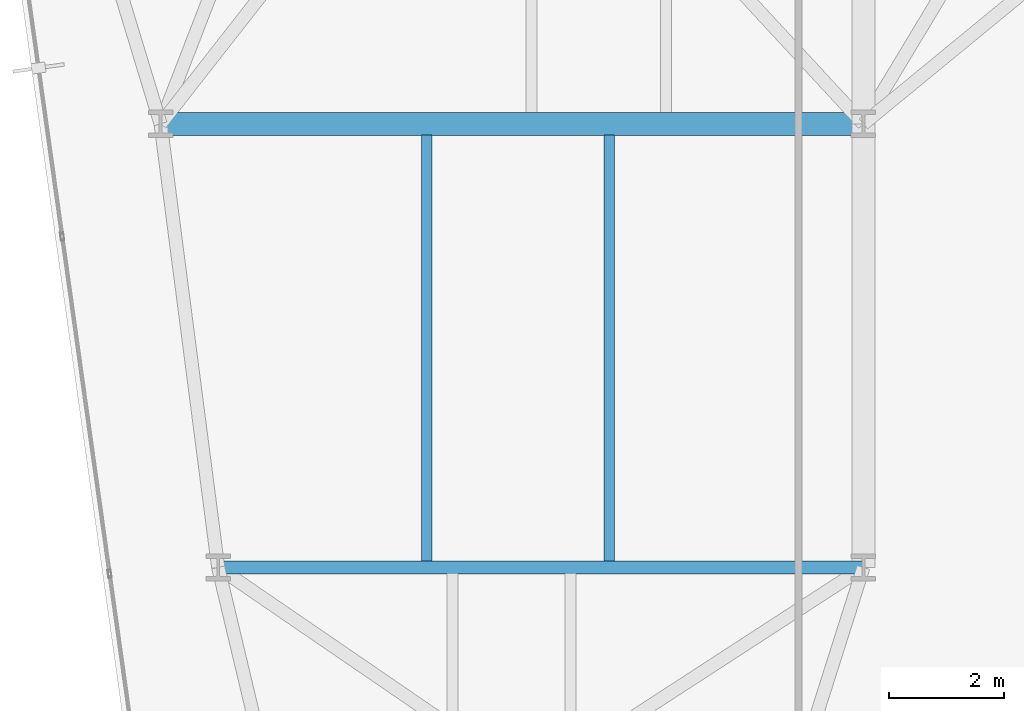
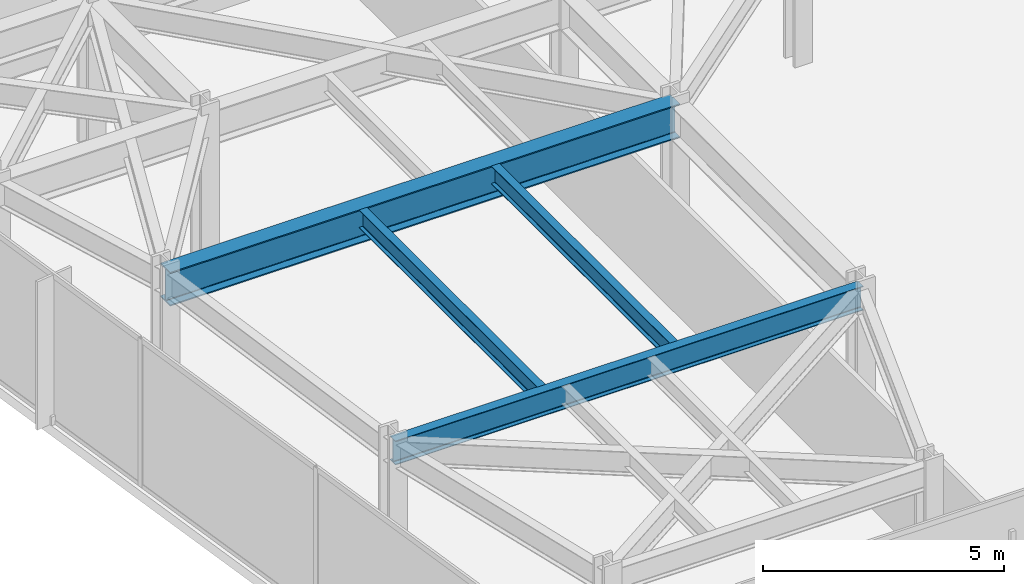
# One storey, part 6 of 26: 4 beams.
"""IFC4 building model written with IfcOpenShell, lengths in metres."""

import ifcopenshell
import ifcopenshell.guid

model = None  # the IFC model being written
_history = None  # IfcOwnerHistory: only IFC2X3 demands one
_inside = {}  # id of a spatial element -> (the spatial element, [elements in it])
_under = {}  # id of a project, library or spatial element -> (it, [spatial elements below it])
_declared = {}  # id of a project -> (the project, [libraries it declares])
_typed = {}  # id of a type object -> (the type object, [elements of that type])
_made_of = {}  # id of a material, layer set ... -> (it, [elements and type objects made of it])


def new_model(schema):
    """Start an empty IFC model of exactly this schema.

    Asked for "IFC4X3", IfcOpenShell would pick the latest addendum, in which some entities
    have other attributes; the version numbers below select the first issue.
    IFC2X3 requires an IfcOwnerHistory on every rooted entity: one is made here for all.
    """
    global model, _history
    if schema == "IFC4X3":
        model = ifcopenshell.file(schema_version=(4, 3, 0, 0))
    else:
        model = ifcopenshell.file(schema=schema)
    _inside.clear()
    _under.clear()
    _declared.clear()
    _typed.clear()
    _made_of.clear()
    _history = None
    if model.schema == "IFC2X3":
        org = make("IfcOrganization", Name="unknown")
        user = make(
            "IfcPersonAndOrganization",
            ThePerson=make("IfcPerson", FamilyName="unknown"),
            TheOrganization=org,
        )
        app = make(
            "IfcApplication",
            ApplicationDeveloper=org,
            Version="unknown",
            ApplicationFullName="unknown",
            ApplicationIdentifier="unknown",
        )
        _history = make(
            "IfcOwnerHistory",
            OwningUser=user,
            OwningApplication=app,
            ChangeAction="ADDED",
            CreationDate=0,
        )
    return model


def make(cls, **values):
    """One entity of the class cls with the attributes given. An attribute that is None is left unset."""
    return model.create_entity(
        cls, **{name: value for name, value in values.items() if value is not None}
    )


def rooted(cls, **values):
    """An entity with a GlobalId (a new one), such as an element, a storey or a relation."""
    return make(cls, GlobalId=ifcopenshell.guid.new(), OwnerHistory=_history, **values)


def si_unit(unit_type, name, prefix=None):
    """IfcSIUnit, for example si_unit("LENGTHUNIT", "METRE", prefix="MILLI")."""
    return make("IfcSIUnit", UnitType=unit_type, Prefix=prefix, Name=name)


def assignment(units):
    """IfcUnitAssignment: the units of a project."""
    return None if units is None else make("IfcUnitAssignment", Units=units)


def point(xyz):
    """IfcCartesianPoint."""
    return None if xyz is None else make("IfcCartesianPoint", Coordinates=xyz)


def direction(xyz):
    """IfcDirection."""
    return None if xyz is None else make("IfcDirection", DirectionRatios=xyz)


def frame(location, z_axis=None, x_axis=None):
    """IfcAxis2Placement3D, a coordinate frame: its origin and axes. An axis left out is left unset."""
    return make(
        "IfcAxis2Placement3D",
        Location=point(location),
        Axis=direction(z_axis),
        RefDirection=direction(x_axis),
    )


def frame_2d(location, x_axis=None):
    """IfcAxis2Placement2D, a coordinate frame in the plane: its origin and x axis."""
    return make(
        "IfcAxis2Placement2D", Location=point(location), RefDirection=direction(x_axis)
    )


def origin():
    """The frame at (0, 0, 0) with its axes left unset."""
    return frame((0.0, 0.0, 0.0))


def origin_2d():
    """The frame at (0, 0) in the plane with its x axis left unset."""
    return frame_2d((0.0, 0.0))


def place(relative_to, where):
    """IfcLocalPlacement: puts the frame where relative to a parent placement (None: the world)."""
    return make(
        "IfcLocalPlacement", PlacementRelTo=relative_to, RelativePlacement=where
    )


def context(
    kind, dimensions, precision=None, world=None, true_north=None, identifier=None
):
    """IfcGeometricRepresentationContext, for example the 3D "Model" context."""
    return make(
        "IfcGeometricRepresentationContext",
        ContextIdentifier=identifier,
        ContextType=kind,
        CoordinateSpaceDimension=dimensions,
        Precision=precision,
        WorldCoordinateSystem=world,
        TrueNorth=true_north,
    )


def subcontext(parent, identifier, kind, view, scale=None):
    """IfcGeometricRepresentationSubContext, for example "Body" below "Model"."""
    return make(
        "IfcGeometricRepresentationSubContext",
        ContextIdentifier=identifier,
        ContextType=kind,
        ParentContext=parent,
        TargetScale=scale,
        TargetView=view,
    )


def project(units=None, contexts=None):
    """IfcProject with its units and contexts."""
    return rooted(
        "IfcProject",
        Name="project",
        RepresentationContexts=contexts,
        UnitsInContext=assignment(units),
    )


def spatial(cls, under=None, at=None, **own):
    """A site, building, storey or space (cls), placed at a placement, below another one or the project."""
    s = rooted(cls, ObjectPlacement=at, **own)
    if under is not None:
        _under.setdefault(under.id(), (under, []))[1].append(s)
    return s


def profile(cls, at=None, kind="AREA", **sizes):
    """A parametric profile (cls). Its sizes go by their IFC names, for example OverallWidth=200.0."""
    return make(cls, ProfileType=kind, Position=at, **sizes)


def i_section(**sizes):
    """IfcIShapeProfileDef."""
    return profile("IfcIShapeProfileDef", **sizes)


def extrude(swept, where, along, depth):
    """IfcExtrudedAreaSolid: the profile swept, set in the frame where, extruded along a direction by depth."""
    return make(
        "IfcExtrudedAreaSolid",
        SweptArea=swept,
        Position=where,
        ExtrudedDirection=direction(along),
        Depth=depth,
    )


def shape(context_of_items, identifier, shape_type, items):
    """IfcShapeRepresentation: the items that make up one representation, for example the "Body"."""
    return make(
        "IfcShapeRepresentation",
        ContextOfItems=context_of_items,
        RepresentationIdentifier=identifier,
        RepresentationType=shape_type,
        Items=items,
    )


def material(Name=None, Category=None):
    """IfcMaterial."""
    return make("IfcMaterial", Name=Name, Category=Category)


def material_profile(
    of_material, cross_section, Name=None, Category=None, Priority=None
):
    """IfcMaterialProfile: a cross section and its material."""
    return make(
        "IfcMaterialProfile",
        Name=Name,
        Material=of_material,
        Profile=cross_section,
        Priority=Priority,
        Category=Category,
    )


def profile_set(profiles, Name=None, composite=None):
    """IfcMaterialProfileSet."""
    return make(
        "IfcMaterialProfileSet",
        Name=Name,
        MaterialProfiles=profiles,
        CompositeProfile=composite,
    )


def made_of(thing, what):
    """Note that an element or type object is made of a material, layer set ...; save() writes the relation."""
    if what is not None:
        _made_of.setdefault(what.id(), (what, []))[1].append(thing)
    return thing


def type_object(cls, material=None, **own):
    """A type object (cls), such as IfcWallType, which elements share."""
    return made_of(rooted(cls, **own), material)


def element(
    cls,
    number,
    at=None,
    inside=None,
    cuts=None,
    type_object=None,
    material=None,
    context=None,
    identifier="Body",
    shape_type=None,
    held_by="IfcProductDefinitionShape",
    body=None,
    shapes=None,
    **own,
):
    """One element of the class cls, such as IfcWall. Its Tag is "e" and its number.

    at: its placement. inside: the storey or other place that contains it. cuts: it is an
    opening in that element (IfcRelVoidsElement). A single representation is given by context,
    identifier, shape_type and body (its items); several are given by shapes. held_by: the class
    of the entity that holds the representations. save() writes the other relations.
    """
    e = rooted(cls, Tag="e%d" % number, ObjectPlacement=at, **own)
    if body is not None:
        shapes = [shape(context, identifier, shape_type, body)]
    if shapes is not None:
        e.Representation = make(held_by, Representations=shapes)
    if inside is not None:
        _inside.setdefault(inside.id(), (inside, []))[1].append(e)
    if cuts is not None:
        rooted(
            "IfcRelVoidsElement", RelatingBuildingElement=cuts, RelatedOpeningElement=e
        )
    if type_object is not None:
        _typed.setdefault(type_object.id(), (type_object, []))[1].append(e)
    return made_of(e, material)


def aggregate(whole, parts):
    """IfcRelAggregates: a whole, such as a stair, and the parts it consists of."""
    return rooted("IfcRelAggregates", RelatingObject=whole, RelatedObjects=parts)


def save(model, path):
    """Write the relations noted so far, then the file.

    IfcRelAggregates (storeys below a building ...), IfcRelContainedInSpatialStructure (elements
    in a storey), IfcRelDefinesByType, IfcRelAssociatesMaterial and IfcRelDeclares: one each for
    every whole, place, type object, material and project.
    """
    for whole, parts in _under.values():
        aggregate(whole, parts)
    for where, things in _inside.values():
        rooted(
            "IfcRelContainedInSpatialStructure",
            RelatedElements=things,
            RelatingStructure=where,
        )
    for kind, things in _typed.values():
        rooted("IfcRelDefinesByType", RelatedObjects=things, RelatingType=kind)
    for what, things in _made_of.values():
        rooted("IfcRelAssociatesMaterial", RelatedObjects=things, RelatingMaterial=what)
    for by, libraries in _declared.values():
        rooted("IfcRelDeclares", RelatingContext=by, RelatedDefinitions=libraries)
    model.write(path)


model = new_model("IFC4")

# Units and contexts
model_context = context("Model", 3, precision=1e-05, world=origin(), true_north=direction((0.0, 1.0)))
body_context = subcontext(model_context, "Body", "Model", "MODEL_VIEW")
ifc_project = project(units=[si_unit("LENGTHUNIT", "METRE"), si_unit("AREAUNIT", "SQUARE_METRE"), si_unit("VOLUMEUNIT", "CUBIC_METRE"), si_unit("PLANEANGLEUNIT", "RADIAN"), si_unit("MASSUNIT", "GRAM", prefix="KILO")], contexts=[model_context])

# Site, building, storey
site_placement = place(None, origin())
site = spatial("IfcSite", under=ifc_project, at=site_placement, CompositionType="ELEMENT")
building_placement = place(site_placement, origin())
building = spatial("IfcBuilding", under=site, at=building_placement, Name="Kravanh Interchange Tower", CompositionType="ELEMENT")
storey_placement = place(building_placement, frame((0.0, 0.0, 124.0)))
storey = spatial("IfcBuildingStorey", under=building, at=storey_placement, Name="L29", CompositionType="ELEMENT", Elevation=124.0)

# Beams
ifc_material_1 = material(Name="Structural Steel S355", Category="steel")
ifc_material_profile_1 = material_profile(ifc_material_1, i_section(OverallWidth=0.39990234375, OverallDepth=0.85595703125, WebThickness=0.018310546875, FlangeThickness=0.029296875, FilletRadius=0.02490234375, at=origin_2d()), Name="W33X201")
ifc_profile_set_1 = profile_set([ifc_material_profile_1], Name="Structural Steel S355")
beam_type_1 = type_object("IfcBeamType", Name="Floor Beam W33X201 Structural Steel S355", PredefinedType="BEAM", material=ifc_profile_set_1)
beam_1_placement = place(storey_placement, frame((15.0, 22.199951171875, 3.322021484375), z_axis=(1.0, 0.0, 0.0), x_axis=(0.0, 1.0, 0.0)))
element("IfcBeam", 1, at=beam_1_placement, inside=storey, type_object=beam_type_1, Name="L29 Primary Floor Girder 108", PredefinedType="BEAM", context=body_context, shape_type="SweptSolid", body=[
    extrude(i_section(OverallWidth=0.39990234375, OverallDepth=0.85595703125, WebThickness=0.018310546875, FlangeThickness=0.029296875, FilletRadius=0.02490234375, at=origin_2d()), origin(), (0.0, 0.0, 1.0), 12.199951171875),
])
ifc_material_2 = material(Name="Structural Steel S355", Category="steel")
ifc_material_profile_2 = material_profile(ifc_material_2, i_section(OverallWidth=0.18994140625, OverallDepth=0.45703125, WebThickness=0.009033203125, FlangeThickness=0.014404296875, FilletRadius=0.01806640625, at=origin_2d()), Name="W18X50")
ifc_profile_set_2 = profile_set([ifc_material_profile_2], Name="Structural Steel S355")
beam_type_2 = type_object("IfcBeamType", Name="Floor Joist W18X50 Structural Steel S355", PredefinedType="JOIST", material=ifc_profile_set_2)
for number, where, z_axis, x_axis, name in (
    (2, (19.6201171875, 14.60888671875, 3.521484375), (0.0, 1.0, 0.0), (-1.0, 0.0, 0.0), "L29 Secondary Floor Joist 5"),
    (3, (22.7880859375, 14.60888671875, 3.521484375), (0.0, 1.0, 0.0), (-1.0, 0.0, 0.0), "L29 Secondary Floor Joist 6"),
):
    element("IfcBeam", number, at=place(storey_placement, frame(where, z_axis=z_axis, x_axis=x_axis)), inside=storey, type_object=beam_type_2, Name=name, PredefinedType="JOIST", context=body_context, shape_type="SweptSolid", body=[
        extrude(i_section(OverallWidth=0.18994140625, OverallDepth=0.45703125, WebThickness=0.009033203125, FlangeThickness=0.014404296875, FilletRadius=0.01806640625, at=origin_2d()), origin(), (0.0, 0.0, 1.0), 7.39599609375),
    ])
ifc_material_3 = material(Name="Structural Steel S355", Category="steel")
ifc_material_profile_3 = material_profile(ifc_material_3, i_section(OverallWidth=0.22802734375, OverallDepth=0.60791015625, WebThickness=0.01123046875, FlangeThickness=0.017333984375, FilletRadius=0.02197265625, at=origin_2d()), Name="W24X76")
ifc_profile_set_3 = profile_set([ifc_material_profile_3], Name="Structural Steel S355")
beam_type_3 = type_object("IfcBeamType", Name="Floor Spandrel W24X76 Structural Steel S355", PredefinedType="SPANDREL", material=ifc_profile_set_3)
beam_2_placement = place(storey_placement, frame((16.0, 14.5, 3.446044921875), z_axis=(1.0, 0.0, 0.0), x_axis=(0.0, 1.0, 0.0)))
element("IfcBeam", 4, at=beam_2_placement, inside=storey, type_object=beam_type_3, Name="L29 Perimeter Spandrel 101", PredefinedType="SPANDREL", context=body_context, shape_type="SweptSolid", body=[
    extrude(i_section(OverallWidth=0.22802734375, OverallDepth=0.60791015625, WebThickness=0.01123046875, FlangeThickness=0.017333984375, FilletRadius=0.02197265625, at=origin_2d()), origin(), (0.0, 0.0, 1.0), 11.199951171875),
])

save(model, "model.ifc")
